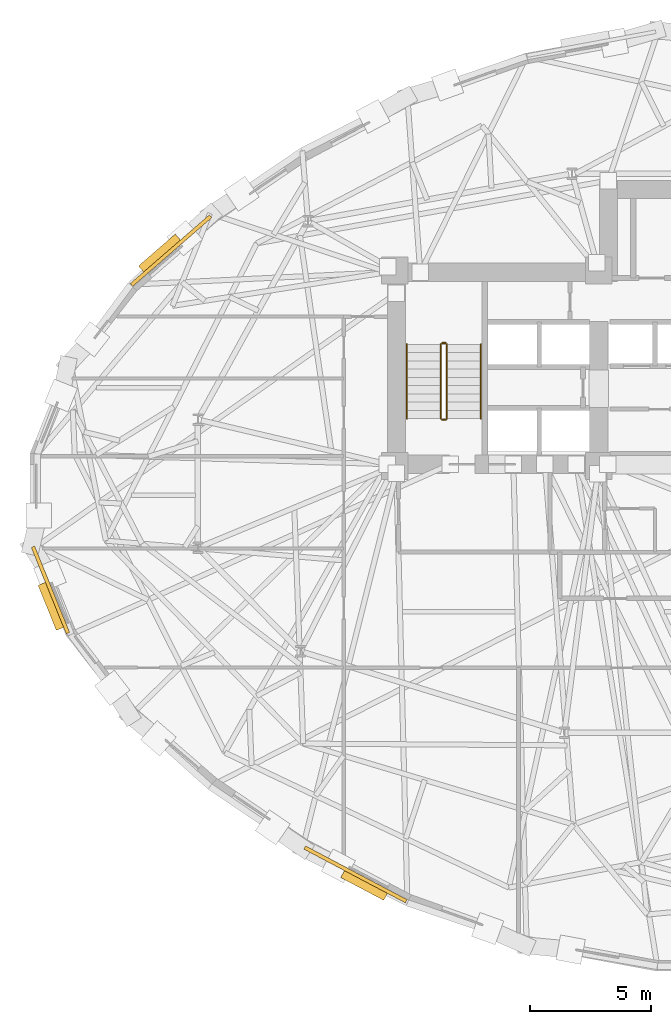
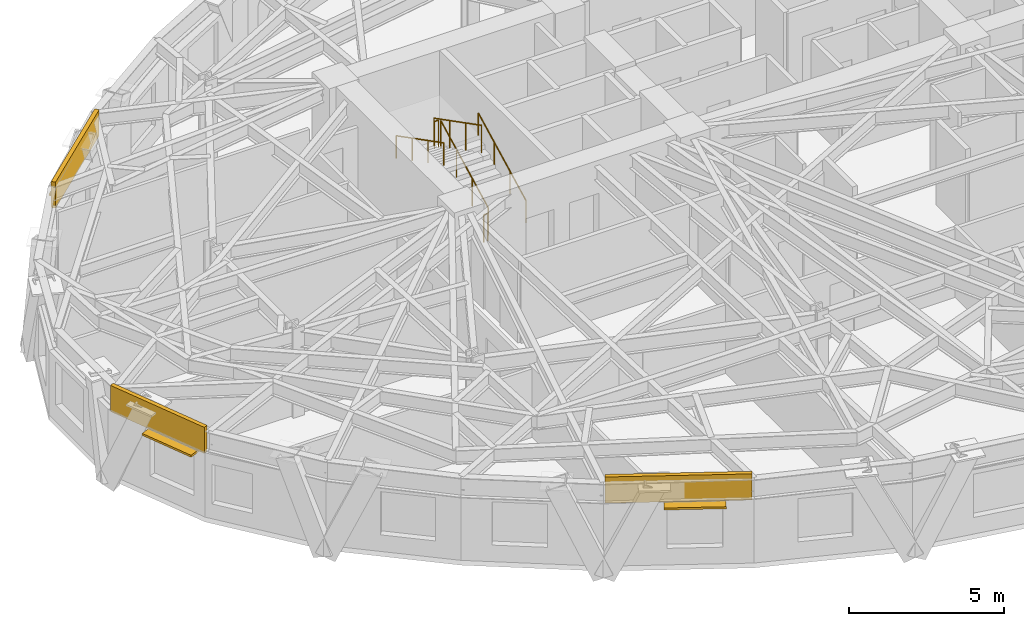
# One storey, part 12 of 15: 6 railings, 3 coverings, 3 shading devices.
"""IFC4 building model written with IfcOpenShell, lengths in metres."""

from ifc_helpers import new_model, si_unit, direction, frame, origin, origin_2d, place, context, subcontext, project, spatial, rectangle, circle, extrude, material, layer, layer_set, type_object, element, save


model = new_model("IFC4")

# Units and contexts
model_context = context("Model", 3, precision=1e-05, world=origin(), true_north=direction((0.0, 1.0)))
body_context = subcontext(model_context, "Body", "Model", "MODEL_VIEW")
ifc_project = project(units=[si_unit("LENGTHUNIT", "METRE"), si_unit("AREAUNIT", "SQUARE_METRE"), si_unit("VOLUMEUNIT", "CUBIC_METRE"), si_unit("PLANEANGLEUNIT", "RADIAN"), si_unit("MASSUNIT", "GRAM", prefix="KILO")], contexts=[model_context])

# Site, building, storey
site_placement = place(None, origin())
site = spatial("IfcSite", under=ifc_project, at=site_placement, CompositionType="ELEMENT")
building_placement = place(site_placement, origin())
building = spatial("IfcBuilding", under=site, at=building_placement, Name="Keldmark Tower", CompositionType="ELEMENT")
storey_placement = place(building_placement, frame((0.0, 0.0, 93.10009765625)))
storey = spatial("IfcBuildingStorey", under=building, at=storey_placement, Name="L24", CompositionType="ELEMENT", Elevation=93.10009765625)

# Shading devices
ifc_material_1 = material(Name="Kasota Buff Limestone Bullnose and Bronze Anodized Aluminum", Category="masonry")
ifc_layer_1 = layer(ifc_material_1, 0.080078125)
ifc_layer_set_1 = layer_set([ifc_layer_1], Name="Kasota Buff Limestone Bullnose and Bronze Anodized Aluminum")
shading_device_type = type_object("IfcShadingDeviceType", Name="Deep-Set Punched Window Stone-and-Metal Sunshade", PredefinedType="AWNING", material=ifc_layer_set_1)
for number, where, z_axis, x_axis, name in (
    (1, (-23.24853515625, 10.130615234375, 2.35986328125), (0.0, 0.0, 1.0), (0.754927096135, 0.655808721748, 0.0), "L24 Kasota Stone Window Sunshade 13"),
    (2, (-27.705810546875, -4.362060546875, 2.35986328125), (0.0, 0.0, 1.0), (-0.374914038623, 0.927059579339, 0.0), "L24 Kasota Stone Window Sunshade 17"),
    (3, (-14.83740234375, -15.82373046875, 2.35986328125), (0.0, 0.0, 1.0), (-0.883969718852, 0.467544154228, 0.0), "L24 Kasota Stone Window Sunshade 21"),
):
    element("IfcShadingDevice", number, at=place(storey_placement, frame(where, z_axis=z_axis, x_axis=x_axis)), inside=storey, type_object=shading_device_type, Name=name, PredefinedType="AWNING", context=body_context, shape_type="SweptSolid", body=[
        extrude(rectangle(XDim=2.0, YDim=0.419921875, at=origin_2d()), origin(), (0.0, 0.0, 1.0), 0.080078125),
    ])

# Coverings
ifc_material_2 = material(Name="Honed Kasota Buff Dolomitic Limestone", Category="masonry")
ifc_layer_2 = layer(ifc_material_2, 0.074951171875)
ifc_layer_set_2 = layer_set([ifc_layer_2], Name="Honed Kasota Buff Dolomitic Limestone")
covering_type = type_object("IfcCoveringType", Name="Kasota Buff Limestone Spandrel Cladding Band", PredefinedType="CLADDING", material=ifc_layer_set_2)
covering_1_placement = place(storey_placement, frame((-22.806396484375, 10.26318359375, 2.45166015625), z_axis=(0.0, 0.0, 1.0), x_axis=(-0.754927096135, -0.655808721748, 0.0)))
element("IfcCovering", 4, at=covering_1_placement, inside=storey, type_object=covering_type, Name="L24 Kasota Limestone Spandrel Band 13", PredefinedType="CLADDING", context=body_context, shape_type="SweptSolid", body=[
    extrude(rectangle(XDim=4.306640625, YDim=0.14990234375, at=origin_2d()), origin(), (0.0, 0.0, 1.0), 1.028076171875),
])
covering_2_placement = place(storey_placement, frame((-27.767333984375, -3.702880859375, 2.45166015625), z_axis=(0.0, 0.0, 1.0), x_axis=(0.374914038623, -0.927059579339, 0.0)))
element("IfcCovering", 5, at=covering_2_placement, inside=storey, type_object=covering_type, Name="L24 Kasota Limestone Spandrel Band 17", PredefinedType="CLADDING", context=body_context, shape_type="SweptSolid", body=[
    extrude(rectangle(XDim=3.836669921875, YDim=0.14990234375, at=origin_2d()), origin(), (0.0, 0.0, 1.0), 1.028076171875),
])
covering_3_placement = place(storey_placement, frame((-15.2119140625, -15.410888671875, 2.45166015625), z_axis=(0.0, 0.0, 1.0), x_axis=(0.883969718852, -0.467544154228, 0.0)))
element("IfcCovering", 6, at=covering_3_placement, inside=storey, type_object=covering_type, Name="L24 Kasota Limestone Spandrel Band 21", PredefinedType="CLADDING", context=body_context, shape_type="SweptSolid", body=[
    extrude(rectangle(XDim=4.724853515625, YDim=0.14990234375, at=origin_2d()), origin(), (0.0, 0.0, 1.0), 1.028076171875),
])

# Railings
ifc_material_3 = material(Name="Painted Steel ASTM A500 Grade B", Category="steel")
railing_type_1 = type_object("IfcRailingType", Name="Painted Steel Stair Well Guard 1100 mm", PredefinedType="GUARDRAIL", material=ifc_material_3)
railing_1_placement = place(storey_placement, frame((-11.449951171875, 3.35009765625, 0.1748046875)))
element("IfcRailing", 7, at=railing_1_placement, inside=storey, type_object=railing_type_1, Name="L24 ST1 stair guard 1", PredefinedType="GUARDRAIL", context=body_context, shape_type="SweptSolid", body=[
    extrude(circle(Radius=0.02392578125, at=origin_2d()), frame((0.0, 0.0, 1.076171875), z_axis=(0.0, 0.889101422983, 0.457710235465), x_axis=(-1.0, 0.0, 0.0)), (0.0, 0.0, 1.0), 3.44140625),
    extrude(circle(Radius=0.02099609375, at=origin_2d()), origin(), (0.0, 0.0, 1.0), 1.052001953125),
    extrude(circle(Radius=0.02099609375, at=origin_2d()), frame((0.0, 1.02001953125, 0.525146484375)), (0.0, 0.0, 1.0), 1.052001953125),
    extrude(circle(Radius=0.02099609375, at=origin_2d()), frame((0.0, 2.039794921875, 1.050048828125)), (0.0, 0.0, 1.0), 1.052001953125),
    extrude(circle(Radius=0.02099609375, at=origin_2d()), frame((0.0, 3.059814453125, 1.5751953125)), (0.0, 0.0, 1.0), 1.052001953125),
])
railing_2_placement = place(storey_placement, frame((-11.5, 6.4599609375, 1.75)))
element("IfcRailing", 8, at=railing_2_placement, inside=storey, type_object=railing_type_1, Name="L24 ST1 stair guard 2", PredefinedType="GUARDRAIL", context=body_context, shape_type="SweptSolid", body=[
    extrude(circle(Radius=0.02392578125, at=origin_2d()), frame((0.0, 0.0, 1.076171875), z_axis=(-1.0, 0.0, 0.0), x_axis=(0.0, -1.0, 0.0)), (0.0, 0.0, 1.0), 0.14990234375),
    extrude(circle(Radius=0.02099609375, at=origin_2d()), origin(), (0.0, 0.0, 1.0), 1.052001953125),
    extrude(circle(Radius=0.02099609375, at=origin_2d()), frame((-0.14990234375, 0.0, 0.0)), (0.0, 0.0, 1.0), 1.052001953125),
])
railing_3_placement = place(storey_placement, frame((-11.699951171875, 6.409912109375, 1.9248046875)))
element("IfcRailing", 9, at=railing_3_placement, inside=storey, type_object=railing_type_1, Name="L24 ST1 stair guard 3", PredefinedType="GUARDRAIL", context=body_context, shape_type="SweptSolid", body=[
    extrude(circle(Radius=0.02392578125, at=origin_2d()), frame((0.0, 0.0, 1.076171875), z_axis=(0.0, -0.889101422983, 0.457710235465), x_axis=(1.0, 0.0, 0.0)), (0.0, 0.0, 1.0), 3.44140625),
    extrude(circle(Radius=0.02099609375, at=origin_2d()), origin(), (0.0, 0.0, 1.0), 1.052001953125),
    extrude(circle(Radius=0.02099609375, at=origin_2d()), frame((0.0, -1.02001953125, 0.525146484375)), (0.0, 0.0, 1.0), 1.052001953125),
    extrude(circle(Radius=0.02099609375, at=origin_2d()), frame((0.0, -2.039794921875, 1.050048828125)), (0.0, 0.0, 1.0), 1.052001953125),
    extrude(circle(Radius=0.02099609375, at=origin_2d()), frame((0.0, -3.059814453125, 1.5751953125)), (0.0, 0.0, 1.0), 1.052001953125),
])
railing_4_placement = place(storey_placement, frame((-11.5, 3.300048828125, 0.0)))
element("IfcRailing", 10, at=railing_4_placement, inside=storey, type_object=railing_type_1, Name="L24 ST1 stair guard 4", PredefinedType="GUARDRAIL", context=body_context, shape_type="SweptSolid", body=[
    extrude(circle(Radius=0.02392578125, at=origin_2d()), frame((0.0, 0.0, 1.076171875), z_axis=(-1.0, 0.0, 0.0), x_axis=(0.0, -1.0, 0.0)), (0.0, 0.0, 1.0), 0.14990234375),
    extrude(circle(Radius=0.02099609375, at=origin_2d()), origin(), (0.0, 0.0, 1.0), 1.052001953125),
    extrude(circle(Radius=0.02099609375, at=origin_2d()), frame((-0.14990234375, 0.0, 0.0)), (0.0, 0.0, 1.0), 1.052001953125),
])
ifc_material_4 = material(Name="Stainless Steel AISI 316L", Category="steel")
railing_type_2 = type_object("IfcRailingType", Name="Stainless Steel Stair Handrail 900 mm", PredefinedType="HANDRAIL", material=ifc_material_4)
railing_5_placement = place(storey_placement, frame((-10.050048828125, 3.35009765625, 0.1748046875)))
element("IfcRailing", 11, at=railing_5_placement, inside=storey, type_object=railing_type_2, Name="L24 ST1 stair handrail 1", PredefinedType="HANDRAIL", context=body_context, shape_type="SweptSolid", body=[
    extrude(circle(Radius=0.02392578125, at=origin_2d()), frame((0.0, 0.0, 0.8759765625), z_axis=(0.0, 0.889101422983, 0.457710235465), x_axis=(-1.0, 0.0, 0.0)), (0.0, 0.0, 1.0), 3.44140625),
    extrude(circle(Radius=0.02099609375, at=origin_2d()), origin(), (0.0, 0.0, 1.0), 0.851806640625),
    extrude(circle(Radius=0.02099609375, at=origin_2d()), frame((0.0, 1.02001953125, 0.525146484375)), (0.0, 0.0, 1.0), 0.851806640625),
    extrude(circle(Radius=0.02099609375, at=origin_2d()), frame((0.0, 2.039794921875, 1.050048828125)), (0.0, 0.0, 1.0), 0.851806640625),
    extrude(circle(Radius=0.02099609375, at=origin_2d()), frame((0.0, 3.059814453125, 1.5751953125)), (0.0, 0.0, 1.0), 0.851806640625),
])
railing_6_placement = place(storey_placement, frame((-13.10009765625, 6.409912109375, 1.9248046875)))
element("IfcRailing", 12, at=railing_6_placement, inside=storey, type_object=railing_type_2, Name="L24 ST1 stair handrail 2", PredefinedType="HANDRAIL", context=body_context, shape_type="SweptSolid", body=[
    extrude(circle(Radius=0.02392578125, at=origin_2d()), frame((0.0, 0.0, 0.8759765625), z_axis=(0.0, -0.889101422983, 0.457710235465), x_axis=(1.0, 0.0, 0.0)), (0.0, 0.0, 1.0), 3.44140625),
    extrude(circle(Radius=0.02099609375, at=origin_2d()), origin(), (0.0, 0.0, 1.0), 0.851806640625),
    extrude(circle(Radius=0.02099609375, at=origin_2d()), frame((0.0, -1.02001953125, 0.525146484375)), (0.0, 0.0, 1.0), 0.851806640625),
    extrude(circle(Radius=0.02099609375, at=origin_2d()), frame((0.0, -2.039794921875, 1.050048828125)), (0.0, 0.0, 1.0), 0.851806640625),
    extrude(circle(Radius=0.02099609375, at=origin_2d()), frame((0.0, -3.059814453125, 1.5751953125)), (0.0, 0.0, 1.0), 0.851806640625),
])

save(model, "model.ifc")
